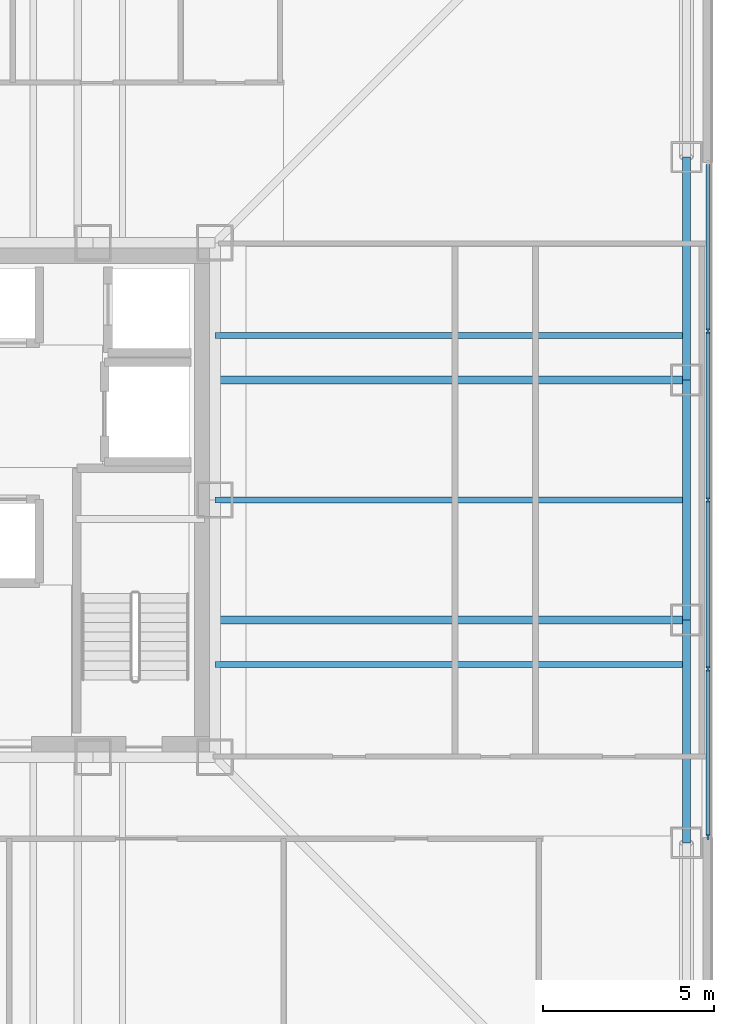
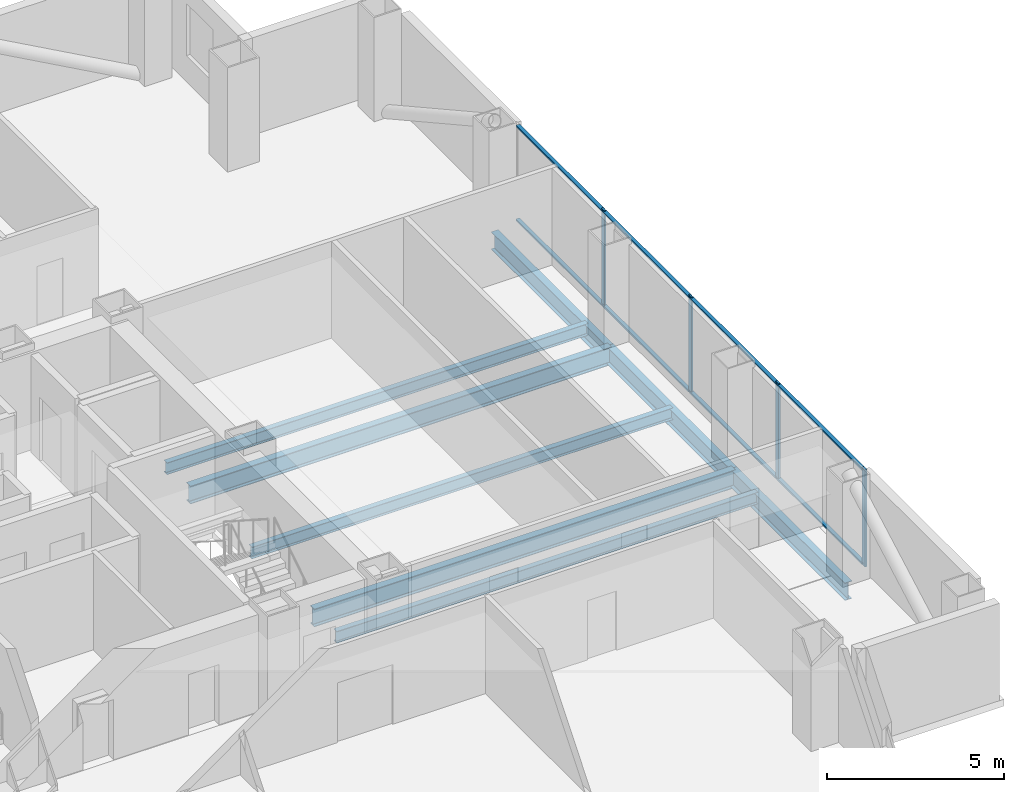
# One storey, part 6 of 14: 12 members, 8 beams, 1 element without a shape of its own.
"""IFC4 building model written with IfcOpenShell, lengths in metres."""

from ifc_helpers import new_model, si_unit, direction, frame, origin, origin_2d, place, context, subcontext, project, spatial, rectangle, i_section, extrude, material, layer, layer_set, material_profile, profile_set, type_object, element, aggregate, save


model = new_model("IFC4")

# Units and contexts
model_context = context("Model", 3, precision=1e-05, world=origin(), true_north=direction((0.0, 1.0)))
body_context = subcontext(model_context, "Body", "Model", "MODEL_VIEW")
ifc_project = project(units=[si_unit("LENGTHUNIT", "METRE"), si_unit("AREAUNIT", "SQUARE_METRE"), si_unit("VOLUMEUNIT", "CUBIC_METRE"), si_unit("PLANEANGLEUNIT", "RADIAN"), si_unit("MASSUNIT", "GRAM", prefix="KILO")], contexts=[model_context])

# Site, building, storey
site_placement = place(None, origin())
site = spatial("IfcSite", under=ifc_project, at=site_placement, CompositionType="ELEMENT")
building_placement = place(site_placement, origin())
building = spatial("IfcBuilding", under=site, at=building_placement, Name="Trevonay Congress Spire", CompositionType="ELEMENT")
storey_placement = place(building_placement, frame((0.0, 0.0, 133.60009765625)))
storey = spatial("IfcBuildingStorey", under=building, at=storey_placement, Name="L34", CompositionType="ELEMENT", Elevation=133.60009765625)

# Beams
ifc_material_1 = material(Name="Steel ASTM A572 Grade 50", Category="steel")
ifc_material_profile_1 = material_profile(ifc_material_1, i_section(OverallWidth=0.22998046875, OverallDepth=0.616943359375, WebThickness=0.01318359375, FlangeThickness=0.022216796875, FilletRadius=0.01611328125, at=origin_2d()), Name="W610x140")
ifc_profile_set_1 = profile_set([ifc_material_profile_1], Name="Steel ASTM A572 Grade 50")
beam_type_1 = type_object("IfcBeamType", Name="BM-GIRD-W610X140", PredefinedType="BEAM", material=ifc_profile_set_1)
for number, where, z_axis, x_axis, name in (
    (1, (7.5, -3.5, -0.548583984375), (1.0, 0.0, 0.0), (0.0, 1.0, 0.0), "L34 structural beam BM-L34-GE-M"),
    (2, (7.5, 3.5, -0.548583984375), (1.0, 0.0, 0.0), (0.0, 1.0, 0.0), "L34 structural beam BM-L34-GE-P"),
):
    element("IfcBeam", number, at=place(storey_placement, frame(where, z_axis=z_axis, x_axis=x_axis)), inside=storey, type_object=beam_type_1, Name=name, PredefinedType="BEAM", context=body_context, shape_type="SweptSolid", body=[
        extrude(i_section(OverallWidth=0.22998046875, OverallDepth=0.616943359375, WebThickness=0.01318359375, FlangeThickness=0.022216796875, FilletRadius=0.01611328125, at=origin_2d()), origin(), (0.0, 0.0, 1.0), 13.75),
    ])
ifc_material_profile_2 = material_profile(ifc_material_1, i_section(OverallWidth=0.22802734375, OverallDepth=0.60791015625, WebThickness=0.01123046875, FlangeThickness=0.017333984375, FilletRadius=0.01611328125, at=origin_2d()), Name="W610x113")
ifc_profile_set_2 = profile_set([ifc_material_profile_2], Name="Steel ASTM A572 Grade 50")
beam_type_2 = type_object("IfcBeamType", Name="BM-RING-W610X113", PredefinedType="BEAM", material=ifc_profile_set_2)
beam_1_placement = place(storey_placement, frame((21.25, -10.0, -0.544189453125), z_axis=(0.0, 1.0, 0.0), x_axis=(-1.0, 0.0, 0.0)))
element("IfcBeam", 3, at=beam_1_placement, inside=storey, type_object=beam_type_2, Name="L34 structural beam BM-L34-PE2", PredefinedType="BEAM", context=body_context, shape_type="SweptSolid", body=[
    extrude(i_section(OverallWidth=0.22802734375, OverallDepth=0.60791015625, WebThickness=0.01123046875, FlangeThickness=0.017333984375, FilletRadius=0.01611328125, at=origin_2d()), origin(), (0.0, 0.0, 1.0), 6.5),
])
beam_2_placement = place(storey_placement, frame((21.25, -3.5, -0.544189453125), z_axis=(0.0, 1.0, 0.0), x_axis=(-1.0, 0.0, 0.0)))
element("IfcBeam", 4, at=beam_2_placement, inside=storey, type_object=beam_type_2, Name="L34 structural beam BM-L34-PE3", PredefinedType="BEAM", context=body_context, shape_type="SweptSolid", body=[
    extrude(i_section(OverallWidth=0.22802734375, OverallDepth=0.60791015625, WebThickness=0.01123046875, FlangeThickness=0.017333984375, FilletRadius=0.01611328125, at=origin_2d()), origin(), (0.0, 0.0, 1.0), 7.0),
])
beam_3_placement = place(storey_placement, frame((21.25, 3.5, -0.544189453125), z_axis=(0.0, 1.0, 0.0), x_axis=(-1.0, 0.0, 0.0)))
element("IfcBeam", 5, at=beam_3_placement, inside=storey, type_object=beam_type_2, Name="L34 structural beam BM-L34-PE4", PredefinedType="BEAM", context=body_context, shape_type="SweptSolid", body=[
    extrude(i_section(OverallWidth=0.22802734375, OverallDepth=0.60791015625, WebThickness=0.01123046875, FlangeThickness=0.017333984375, FilletRadius=0.01611328125, at=origin_2d()), origin(), (0.0, 0.0, 1.0), 6.5),
])

# Curtain wall, members
ifc_material_2 = material(Name="Pale Anodised Aluminium EN AW-6063-T6", Category="aluminium")
ifc_layer = layer(ifc_material_2, 0.175048828125, Name="Pale Anodised Aluminium EN AW-6063-T6")
ifc_layer_set = layer_set([ifc_layer], Name="Pale Anodised Aluminium EN AW-6063-T6")
curtain_wall_type = type_object("IfcCurtainWallType", Name="CW-SYS03-CONGRESS-PALE-METAL", PredefinedType="NOTDEFINED", material=ifc_layer_set)
curtain_wall_placement = place(storey_placement, origin())
curtain_wall = element("IfcCurtainWall", 6, at=curtain_wall_placement, inside=storey, type_object=curtain_wall_type, Name="L34 E unitised curtain wall", PredefinedType="NOTDEFINED")
ifc_material_profile_3 = material_profile(ifc_material_2, rectangle(XDim=0.06005859375, YDim=0.159912109375, at=origin_2d()), Name="CW-MULLION-160-ALUMINIUM")
ifc_profile_set_3 = profile_set([ifc_material_profile_3], Name="Pale Anodised Aluminium EN AW-6063-T6")
member_type_1 = type_object("IfcMemberType", Name="CW-MULLION-160-ALUMINIUM", PredefinedType="MULLION", material=ifc_profile_set_3)
member_1_placement = place(storey_placement, frame((21.8798828125, -9.820068359375, 0.0), z_axis=(0.0, 0.0, 1.0), x_axis=(-1.0, 0.0, 0.0)))
member_1 = element("IfcMember", 7, at=member_1_placement, type_object=member_type_1, Name="CW03 mullion 1", PredefinedType="MULLION", context=body_context, shape_type="SweptSolid", body=[
    extrude(rectangle(XDim=0.06005859375, YDim=0.159912109375, at=origin_2d()), origin(), (0.0, 0.0, 1.0), 3.35986328125),
])
member_2_placement = place(storey_placement, frame((21.8798828125, -4.925048828125, 0.0), z_axis=(0.0, 0.0, 1.0), x_axis=(-1.0, 0.0, 0.0)))
member_2 = element("IfcMember", 8, at=member_2_placement, type_object=member_type_1, Name="CW03 mullion 2", PredefinedType="MULLION", context=body_context, shape_type="SweptSolid", body=[
    extrude(rectangle(XDim=0.06005859375, YDim=0.159912109375, at=origin_2d()), origin(), (0.0, 0.0, 1.0), 3.35986328125),
])
member_3_placement = place(storey_placement, frame((21.8798828125, 0.0, 0.0), z_axis=(0.0, 0.0, 1.0), x_axis=(-1.0, 0.0, 0.0)))
member_3 = element("IfcMember", 9, at=member_3_placement, type_object=member_type_1, Name="CW03 mullion 3", PredefinedType="MULLION", context=body_context, shape_type="SweptSolid", body=[
    extrude(rectangle(XDim=0.06005859375, YDim=0.159912109375, at=origin_2d()), origin(), (0.0, 0.0, 1.0), 3.35986328125),
])
member_4_placement = place(storey_placement, frame((21.8798828125, 4.925048828125, 0.0), z_axis=(0.0, 0.0, 1.0), x_axis=(-1.0, 0.0, 0.0)))
member_4 = element("IfcMember", 10, at=member_4_placement, type_object=member_type_1, Name="CW03 mullion 4", PredefinedType="MULLION", context=body_context, shape_type="SweptSolid", body=[
    extrude(rectangle(XDim=0.06005859375, YDim=0.159912109375, at=origin_2d()), origin(), (0.0, 0.0, 1.0), 3.35986328125),
])
ifc_material_profile_4 = material_profile(ifc_material_2, rectangle(XDim=0.1201171875, YDim=0.06005859375, at=origin_2d()), Name="CW-TRANSOM-120-ALUMINIUM")
ifc_profile_set_4 = profile_set([ifc_material_profile_4], Name="Pale Anodised Aluminium EN AW-6063-T6")
member_type_2 = type_object("IfcMemberType", Name="CW-TRANSOM-120-ALUMINIUM", PredefinedType="USERDEFINED", material=ifc_profile_set_4)
member_5_placement = place(storey_placement, frame((21.8798828125, -9.7900390625, 0.059814453125), z_axis=(0.0, 1.0, 0.0), x_axis=(-1.0, 0.0, 0.0)))
member_5 = element("IfcMember", 11, at=member_5_placement, type_object=member_type_2, Name="CW03 transom 1.1", ObjectType="TRANSOM", PredefinedType="USERDEFINED", context=body_context, shape_type="SweptSolid", body=[
    extrude(rectangle(XDim=0.1201171875, YDim=0.06005859375, at=origin_2d()), origin(), (0.0, 0.0, 1.0), 4.8349609375),
])
member_6_placement = place(storey_placement, frame((21.8798828125, -9.7900390625, 3.2998046875), z_axis=(0.0, 1.0, 0.0), x_axis=(-1.0, 0.0, 0.0)))
member_6 = element("IfcMember", 12, at=member_6_placement, type_object=member_type_2, Name="CW03 transom 1.2", ObjectType="TRANSOM", PredefinedType="USERDEFINED", context=body_context, shape_type="SweptSolid", body=[
    extrude(rectangle(XDim=0.1201171875, YDim=0.06005859375, at=origin_2d()), origin(), (0.0, 0.0, 1.0), 4.8349609375),
])
member_7_placement = place(storey_placement, frame((21.8798828125, -4.89501953125, 0.059814453125), z_axis=(0.0, 1.0, 0.0), x_axis=(-1.0, 0.0, 0.0)))
member_7 = element("IfcMember", 13, at=member_7_placement, type_object=member_type_2, Name="CW03 transom 2.1", ObjectType="TRANSOM", PredefinedType="USERDEFINED", context=body_context, shape_type="SweptSolid", body=[
    extrude(rectangle(XDim=0.1201171875, YDim=0.06005859375, at=origin_2d()), origin(), (0.0, 0.0, 1.0), 4.864990234375),
])
member_8_placement = place(storey_placement, frame((21.8798828125, -4.89501953125, 3.2998046875), z_axis=(0.0, 1.0, 0.0), x_axis=(-1.0, 0.0, 0.0)))
member_8 = element("IfcMember", 14, at=member_8_placement, type_object=member_type_2, Name="CW03 transom 2.2", ObjectType="TRANSOM", PredefinedType="USERDEFINED", context=body_context, shape_type="SweptSolid", body=[
    extrude(rectangle(XDim=0.1201171875, YDim=0.06005859375, at=origin_2d()), origin(), (0.0, 0.0, 1.0), 4.864990234375),
])
member_9_placement = place(storey_placement, frame((21.8798828125, 0.030029296875, 0.059814453125), z_axis=(0.0, 1.0, 0.0), x_axis=(-1.0, 0.0, 0.0)))
member_9 = element("IfcMember", 15, at=member_9_placement, type_object=member_type_2, Name="CW03 transom 3.1", ObjectType="TRANSOM", PredefinedType="USERDEFINED", context=body_context, shape_type="SweptSolid", body=[
    extrude(rectangle(XDim=0.1201171875, YDim=0.06005859375, at=origin_2d()), origin(), (0.0, 0.0, 1.0), 4.864990234375),
])
member_10_placement = place(storey_placement, frame((21.8798828125, 0.030029296875, 3.2998046875), z_axis=(0.0, 1.0, 0.0), x_axis=(-1.0, 0.0, 0.0)))
member_10 = element("IfcMember", 16, at=member_10_placement, type_object=member_type_2, Name="CW03 transom 3.2", ObjectType="TRANSOM", PredefinedType="USERDEFINED", context=body_context, shape_type="SweptSolid", body=[
    extrude(rectangle(XDim=0.1201171875, YDim=0.06005859375, at=origin_2d()), origin(), (0.0, 0.0, 1.0), 4.864990234375),
])
member_11_placement = place(storey_placement, frame((21.8798828125, 4.955078125, 0.059814453125), z_axis=(0.0, 1.0, 0.0), x_axis=(-1.0, 0.0, 0.0)))
member_11 = element("IfcMember", 17, at=member_11_placement, type_object=member_type_2, Name="CW03 transom 4.1", ObjectType="TRANSOM", PredefinedType="USERDEFINED", context=body_context, shape_type="SweptSolid", body=[
    extrude(rectangle(XDim=0.1201171875, YDim=0.06005859375, at=origin_2d()), origin(), (0.0, 0.0, 1.0), 4.8349609375),
])
member_12_placement = place(storey_placement, frame((21.8798828125, 4.955078125, 3.2998046875), z_axis=(0.0, 1.0, 0.0), x_axis=(-1.0, 0.0, 0.0)))
member_12 = element("IfcMember", 18, at=member_12_placement, type_object=member_type_2, Name="CW03 transom 4.2", ObjectType="TRANSOM", PredefinedType="USERDEFINED", context=body_context, shape_type="SweptSolid", body=[
    extrude(rectangle(XDim=0.1201171875, YDim=0.06005859375, at=origin_2d()), origin(), (0.0, 0.0, 1.0), 4.8349609375),
])
aggregate(curtain_wall, [member_1, member_2, member_3, member_4, member_5, member_6, member_7, member_8, member_9, member_10, member_11, member_12])

# Beams
ifc_material_profile_5 = material_profile(ifc_material_1, i_section(OverallWidth=0.177978515625, OverallDepth=0.406982421875, WebThickness=0.0078125, FlangeThickness=0.0126953125, FilletRadius=0.012939453125, at=origin_2d()), Name="W410x60")
ifc_profile_set_5 = profile_set([ifc_material_profile_5], Name="Steel ASTM A572 Grade 50")
beam_type_3 = type_object("IfcBeamType", Name="JS-COMP-W410X60", PredefinedType="JOIST", material=ifc_profile_set_5)
for number, where, z_axis, x_axis, name in (
    (19, (7.5, -4.800048828125, -0.443603515625), (1.0, 0.0, 0.0), (0.0, 1.0, 0.0), "L34 structural beam JS-L34-EW-E1"),
    (20, (7.5, 0.0, -0.443603515625), (1.0, 0.0, 0.0), (0.0, 1.0, 0.0), "L34 structural beam JS-L34-EW-E2"),
    (21, (7.5, 4.800048828125, -0.443603515625), (1.0, 0.0, 0.0), (0.0, 1.0, 0.0), "L34 structural beam JS-L34-EW-E3"),
):
    element("IfcBeam", number, at=place(storey_placement, frame(where, z_axis=z_axis, x_axis=x_axis)), inside=storey, type_object=beam_type_3, Name=name, PredefinedType="JOIST", context=body_context, shape_type="SweptSolid", body=[
        extrude(i_section(OverallWidth=0.177978515625, OverallDepth=0.406982421875, WebThickness=0.0078125, FlangeThickness=0.0126953125, FilletRadius=0.012939453125, at=origin_2d()), origin(), (0.0, 0.0, 1.0), 13.75),
    ])

save(model, "model.ifc")
